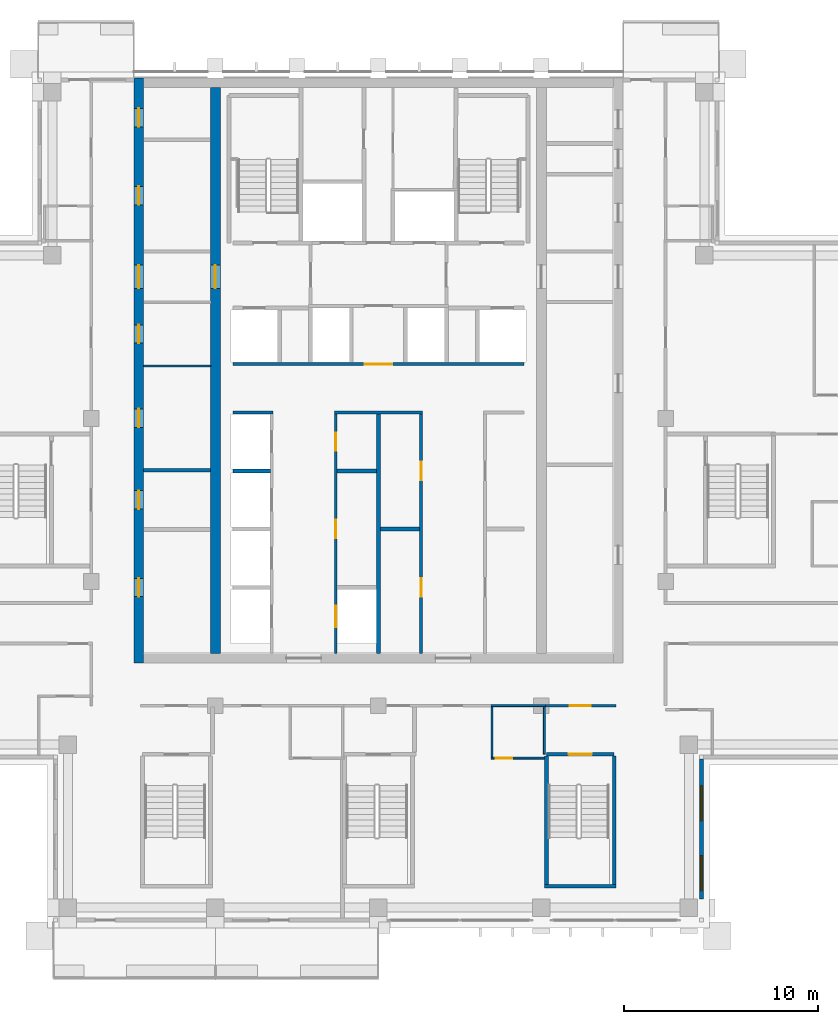
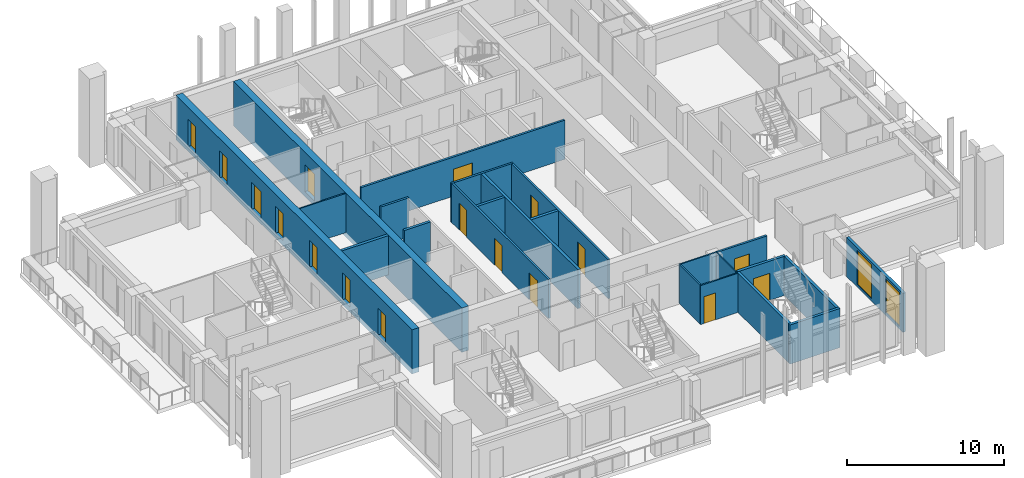
# One storey, part 8 of 16: 23 walls, 17 doors, 2 windows, 19 openings.
"""IFC4 building model written with IfcOpenShell, lengths in metres."""

from ifc_helpers import new_model, si_unit, direction, frame, frame_2d, origin, place, context, subcontext, project, spatial, rectangle, extrude, material, layer, layer_set, type_object, element, fill, save


model = new_model("IFC4")

# Units and contexts
model_context = context("Model", 3, precision=1e-05, world=origin(), true_north=direction((0.0, 1.0)))
body_context = subcontext(model_context, "Body", "Model", "MODEL_VIEW")
ifc_project = project(units=[si_unit("LENGTHUNIT", "METRE"), si_unit("AREAUNIT", "SQUARE_METRE"), si_unit("VOLUMEUNIT", "CUBIC_METRE"), si_unit("PLANEANGLEUNIT", "RADIAN"), si_unit("MASSUNIT", "GRAM", prefix="KILO")], contexts=[model_context])

# Site, building, storey
site_placement = place(None, origin())
site = spatial("IfcSite", under=ifc_project, at=site_placement, CompositionType="ELEMENT")
building_placement = place(site_placement, origin())
building = spatial("IfcBuilding", under=site, at=building_placement, Name="Vermilion Ogive Tower", CompositionType="ELEMENT")
storey_placement = place(building_placement, frame((0.0, 0.0, 247.60009765625)))
storey = spatial("IfcBuildingStorey", under=building, at=storey_placement, Name="L65", CompositionType="ELEMENT", Elevation=247.60009765625)

# Wall, openings, doors
ifc_material_1 = material(Name="Concrete B60", Category="concrete")
ifc_layer_1 = layer(ifc_material_1, 0.5)
ifc_layer_set_1 = layer_set([ifc_layer_1], Name="Core wall 500 B60")
wall_type_1 = type_object("IfcWallType", Name="Core wall 500 B60", PredefinedType="SHEAR", material=ifc_layer_set_1)
wall_1_placement = place(storey_placement, frame((-12.35009765625, -8.39990234375, -0.400146484375), z_axis=(0.0, 0.0, 1.0), x_axis=(0.0, 1.0, 0.0)))
wall_1 = element("IfcWall", 1, at=wall_1_placement, inside=storey, type_object=wall_type_1, Name="L65-CORE-W", PredefinedType="SHEAR", context=body_context, shape_type="SweptSolid", body=[
    extrude(rectangle(XDim=30.14990234375, YDim=0.5, at=frame_2d((15.074951171875, 0.0))), origin(), (0.0, 0.0, 1.0), 3.449951171875),
])
opening_1_placement = place(wall_1_placement, frame((3.415771484375, 0.0, 0.39990234375)))
opening_1 = element("IfcOpeningElement", 2, at=opening_1_placement, cuts=wall_1, Name="Opening DAD116", PredefinedType="OPENING", context=body_context, shape_type="SweptSolid", body=[
    extrude(rectangle(XDim=0.949951171875, YDim=2.10009765625, at=frame_2d((0.47509765625, 1.050048828125))), frame((0.0, 0.260009765625, 0.0), z_axis=(0.0, -1.0, 0.0), x_axis=(1.0, 0.0, 0.0)), (0.0, 0.0, 1.0), 0.52001953125),
])
opening_2_placement = place(wall_1_placement, frame((7.93212890625, 0.0, 0.39990234375)))
opening_2 = element("IfcOpeningElement", 3, at=opening_2_placement, cuts=wall_1, Name="Opening DAD117", PredefinedType="OPENING", context=body_context, shape_type="SweptSolid", body=[
    extrude(rectangle(XDim=0.949951171875, YDim=2.10009765625, at=frame_2d((0.47509765625, 1.050048828125))), frame((0.0, 0.260009765625, 0.0), z_axis=(0.0, -1.0, 0.0), x_axis=(1.0, 0.0, 0.0)), (0.0, 0.0, 1.0), 0.52001953125),
])
opening_3_placement = place(wall_1_placement, frame((12.1435546875, 0.0, 0.39990234375)))
opening_3 = element("IfcOpeningElement", 4, at=opening_3_placement, cuts=wall_1, Name="Opening DAD118", PredefinedType="OPENING", context=body_context, shape_type="SweptSolid", body=[
    extrude(rectangle(XDim=0.949951171875, YDim=2.10009765625, at=frame_2d((0.47509765625, 1.050048828125))), frame((0.0, 0.260009765625, 0.0), z_axis=(0.0, -1.0, 0.0), x_axis=(1.0, 0.0, 0.0)), (0.0, 0.0, 1.0), 0.52001953125),
])
opening_4_placement = place(wall_1_placement, frame((16.47705078125, 0.0, 0.39990234375)))
opening_4 = element("IfcOpeningElement", 5, at=opening_4_placement, cuts=wall_1, Name="Opening DAD119", PredefinedType="OPENING", context=body_context, shape_type="SweptSolid", body=[
    extrude(rectangle(XDim=0.949951171875, YDim=2.10009765625, at=frame_2d((0.47509765625, 1.050048828125))), frame((0.0, 0.260009765625, 0.0), z_axis=(0.0, -1.0, 0.0), x_axis=(1.0, 0.0, 0.0)), (0.0, 0.0, 1.0), 0.52001953125),
])
opening_5_placement = place(wall_1_placement, frame((23.60498046875, 0.0, 0.39990234375)))
opening_5 = element("IfcOpeningElement", 6, at=opening_5_placement, cuts=wall_1, Name="Opening DAD120", PredefinedType="OPENING", context=body_context, shape_type="SweptSolid", body=[
    extrude(rectangle(XDim=0.949951171875, YDim=2.10009765625, at=frame_2d((0.47509765625, 1.050048828125))), frame((0.0, 0.260009765625, 0.0), z_axis=(0.0, -1.0, 0.0), x_axis=(1.0, 0.0, 0.0)), (0.0, 0.0, 1.0), 0.52001953125),
])
opening_6_placement = place(wall_1_placement, frame((27.630126953125, 0.0, 0.39990234375)))
opening_6 = element("IfcOpeningElement", 7, at=opening_6_placement, cuts=wall_1, Name="Opening DAD121", PredefinedType="OPENING", context=body_context, shape_type="SweptSolid", body=[
    extrude(rectangle(XDim=0.949951171875, YDim=2.10009765625, at=frame_2d((0.47509765625, 1.050048828125))), frame((0.0, 0.260009765625, 0.0), z_axis=(0.0, -1.0, 0.0), x_axis=(1.0, 0.0, 0.0)), (0.0, 0.0, 1.0), 0.52001953125),
])
opening_7_placement = place(wall_1_placement, frame((19.300048828125, 0.0, 0.39990234375)))
opening_7 = element("IfcOpeningElement", 8, at=opening_7_placement, cuts=wall_1, Name="Opening DAM027", PredefinedType="OPENING", context=body_context, shape_type="SweptSolid", body=[
    extrude(rectangle(XDim=1.199951171875, YDim=2.10009765625, at=frame_2d((0.60009765625, 1.050048828125))), frame((0.0, 0.260009765625, 0.0), z_axis=(0.0, -1.0, 0.0), x_axis=(1.0, 0.0, 0.0)), (0.0, 0.0, 1.0), 0.52001953125),
])
ifc_material_2 = material(Name="Timber door leaf", Category="wood")
door_type_1 = type_object("IfcDoorType", Name="Link door 1200 x 2100 FD60S", OperationType="SINGLE_SWING_LEFT", PredefinedType="DOOR", material=ifc_material_2)
door_1_placement = place(opening_7_placement, origin())
door_1 = element("IfcDoor", 9, at=door_1_placement, inside=storey, type_object=door_type_1, Name="L65-CKW-XL", OperationType="SINGLE_SWING_LEFT", OverallHeight=2.10009765625, OverallWidth=1.199951171875, PredefinedType="DOOR", context=body_context, shape_type="SweptSolid", body=[
    extrude(rectangle(XDim=1.199951171875, YDim=2.10009765625, at=frame_2d((0.60009765625, 1.050048828125))), frame((0.0, 0.02490234375, 0.0), z_axis=(0.0, -1.0, 0.0), x_axis=(1.0, 0.0, 0.0)), (0.0, 0.0, 1.0), 0.050048828125),
])
fill(opening_7, door_1)
ifc_material_3 = material(Name="Timber door leaf", Category="wood")
door_type_2 = type_object("IfcDoorType", Name="Service door 950 x 2100 FD60", OperationType="SINGLE_SWING_LEFT", PredefinedType="DOOR", material=ifc_material_3)
door_2_placement = place(opening_1_placement, origin())
door_2 = element("IfcDoor", 10, at=door_2_placement, inside=storey, type_object=door_type_2, Name="L65-CKW-XR0", OperationType="SINGLE_SWING_LEFT", OverallHeight=2.10009765625, OverallWidth=0.949951171875, PredefinedType="DOOR", context=body_context, shape_type="SweptSolid", body=[
    extrude(rectangle(XDim=0.949951171875, YDim=2.10009765625, at=frame_2d((0.47509765625, 1.050048828125))), frame((0.0, 0.02490234375, 0.0), z_axis=(0.0, -1.0, 0.0), x_axis=(1.0, 0.0, 0.0)), (0.0, 0.0, 1.0), 0.050048828125),
])
fill(opening_1, door_2)
door_3_placement = place(opening_2_placement, origin())
door_3 = element("IfcDoor", 11, at=door_3_placement, inside=storey, type_object=door_type_2, Name="L65-CKW-XR1", OperationType="SINGLE_SWING_LEFT", OverallHeight=2.10009765625, OverallWidth=0.949951171875, PredefinedType="DOOR", context=body_context, shape_type="SweptSolid", body=[
    extrude(rectangle(XDim=0.949951171875, YDim=2.10009765625, at=frame_2d((0.47509765625, 1.050048828125))), frame((0.0, 0.02490234375, 0.0), z_axis=(0.0, -1.0, 0.0), x_axis=(1.0, 0.0, 0.0)), (0.0, 0.0, 1.0), 0.050048828125),
])
fill(opening_2, door_3)
door_4_placement = place(opening_3_placement, origin())
door_4 = element("IfcDoor", 12, at=door_4_placement, inside=storey, type_object=door_type_2, Name="L65-CKW-XR2", OperationType="SINGLE_SWING_LEFT", OverallHeight=2.10009765625, OverallWidth=0.949951171875, PredefinedType="DOOR", context=body_context, shape_type="SweptSolid", body=[
    extrude(rectangle(XDim=0.949951171875, YDim=2.10009765625, at=frame_2d((0.47509765625, 1.050048828125))), frame((0.0, 0.02490234375, 0.0), z_axis=(0.0, -1.0, 0.0), x_axis=(1.0, 0.0, 0.0)), (0.0, 0.0, 1.0), 0.050048828125),
])
fill(opening_3, door_4)
door_5_placement = place(opening_4_placement, origin())
door_5 = element("IfcDoor", 13, at=door_5_placement, inside=storey, type_object=door_type_2, Name="L65-CKW-XR3", OperationType="SINGLE_SWING_LEFT", OverallHeight=2.10009765625, OverallWidth=0.949951171875, PredefinedType="DOOR", context=body_context, shape_type="SweptSolid", body=[
    extrude(rectangle(XDim=0.949951171875, YDim=2.10009765625, at=frame_2d((0.47509765625, 1.050048828125))), frame((0.0, 0.02490234375, 0.0), z_axis=(0.0, -1.0, 0.0), x_axis=(1.0, 0.0, 0.0)), (0.0, 0.0, 1.0), 0.050048828125),
])
fill(opening_4, door_5)
door_6_placement = place(opening_5_placement, origin())
door_6 = element("IfcDoor", 14, at=door_6_placement, inside=storey, type_object=door_type_2, Name="L65-CKW-XR4", OperationType="SINGLE_SWING_LEFT", OverallHeight=2.10009765625, OverallWidth=0.949951171875, PredefinedType="DOOR", context=body_context, shape_type="SweptSolid", body=[
    extrude(rectangle(XDim=0.949951171875, YDim=2.10009765625, at=frame_2d((0.47509765625, 1.050048828125))), frame((0.0, 0.02490234375, 0.0), z_axis=(0.0, -1.0, 0.0), x_axis=(1.0, 0.0, 0.0)), (0.0, 0.0, 1.0), 0.050048828125),
])
fill(opening_5, door_6)
door_7_placement = place(opening_6_placement, origin())
door_7 = element("IfcDoor", 15, at=door_7_placement, inside=storey, type_object=door_type_2, Name="L65-CKW-XR5", OperationType="SINGLE_SWING_LEFT", OverallHeight=2.10009765625, OverallWidth=0.949951171875, PredefinedType="DOOR", context=body_context, shape_type="SweptSolid", body=[
    extrude(rectangle(XDim=0.949951171875, YDim=2.10009765625, at=frame_2d((0.47509765625, 1.050048828125))), frame((0.0, 0.02490234375, 0.0), z_axis=(0.0, -1.0, 0.0), x_axis=(1.0, 0.0, 0.0)), (0.0, 0.0, 1.0), 0.050048828125),
])
fill(opening_6, door_7)

# Wall, opening, door
wall_2_placement = place(storey_placement, frame((-8.39990234375, -7.89990234375, -0.400146484375), z_axis=(0.0, 0.0, 1.0), x_axis=(0.0, 1.0, 0.0)))
wall_2 = element("IfcWall", 16, at=wall_2_placement, inside=storey, type_object=wall_type_1, Name="L65-CORE-WEB1", PredefinedType="SHEAR", context=body_context, shape_type="SweptSolid", body=[
    extrude(rectangle(XDim=29.14990234375, YDim=0.5, at=frame_2d((14.574951171875, 0.0))), origin(), (0.0, 0.0, 1.0), 3.449951171875),
])
opening_8_placement = place(wall_2_placement, frame((18.800048828125, 0.0, 0.39990234375)))
opening_8 = element("IfcOpeningElement", 17, at=opening_8_placement, cuts=wall_2, Name="Opening DAP022", PredefinedType="OPENING", context=body_context, shape_type="SweptSolid", body=[
    extrude(rectangle(XDim=1.199951171875, YDim=2.10009765625, at=frame_2d((0.60009765625, 1.050048828125))), frame((0.0, 0.260009765625, 0.0), z_axis=(0.0, -1.0, 0.0), x_axis=(1.0, 0.0, 0.0)), (0.0, 0.0, 1.0), 0.52001953125),
])
door_8_placement = place(opening_8_placement, origin())
door_8 = element("IfcDoor", 18, at=door_8_placement, inside=storey, type_object=door_type_1, Name="L65-CKW-XW", OperationType="SINGLE_SWING_LEFT", OverallHeight=2.10009765625, OverallWidth=1.199951171875, PredefinedType="DOOR", context=body_context, shape_type="SweptSolid", body=[
    extrude(rectangle(XDim=1.199951171875, YDim=2.10009765625, at=frame_2d((0.60009765625, 1.050048828125))), frame((0.0, 0.02490234375, 0.0), z_axis=(0.0, -1.0, 0.0), x_axis=(1.0, 0.0, 0.0)), (0.0, 0.0, 1.0), 0.050048828125),
])
fill(opening_8, door_8)

ifc_material_4 = material(Name="Gypsum board partition on steel studs", Category="steel")
ifc_layer_2 = layer(ifc_material_4, 0.10009765625)
ifc_layer_set_2 = layer_set([ifc_layer_2], Name="Partition 100 bath")
wall_type_2 = type_object("IfcWallType", Name="Partition 100 bath", PredefinedType="PARTITIONING", material=ifc_layer_set_2)
wall_3_placement = place(storey_placement, frame((5.802001953125, -13.300048828125, 0.0), z_axis=(0.0, 0.0, 1.0), x_axis=(1.0, 0.0, 0.0)))
wall_3 = element("IfcWall", 19, at=wall_3_placement, inside=storey, type_object=wall_type_2, Name="L65-W-W003", PredefinedType="PARTITIONING", context=body_context, shape_type="SweptSolid", body=[
    extrude(rectangle(XDim=2.748046875, YDim=0.10009765625, at=frame_2d((1.3740234375, 0.0))), origin(), (0.0, 0.0, 1.0), 3.0498046875),
])
opening_9_placement = place(wall_3_placement, frame((0.248046875, 0.0, 0.0)))
opening_9 = element("IfcOpeningElement", 20, at=opening_9_placement, cuts=wall_3, Name="Opening D5G4011", PredefinedType="OPENING", context=body_context, shape_type="SweptSolid", body=[
    extrude(rectangle(XDim=0.85009765625, YDim=2.10009765625, at=frame_2d((0.425048828125, 1.050048828125))), frame((0.0, 0.06005859375, 0.0), z_axis=(0.0, -1.0, 0.0), x_axis=(1.0, 0.0, 0.0)), (0.0, 0.0, 1.0), 0.1201171875),
])
ifc_material_5 = material(Name="Timber door leaf", Category="wood")
door_type_3 = type_object("IfcDoorType", Name="Bath door 850 x 2100 FD30", OperationType="SINGLE_SWING_LEFT", PredefinedType="DOOR", material=ifc_material_5)
door_9_placement = place(opening_9_placement, origin())
door_9 = element("IfcDoor", 21, at=door_9_placement, inside=storey, type_object=door_type_3, Name="L65-D-D011", OperationType="SINGLE_SWING_LEFT", OverallHeight=2.10009765625, OverallWidth=0.85009765625, PredefinedType="DOOR", context=body_context, shape_type="SweptSolid", body=[
    extrude(rectangle(XDim=0.85009765625, YDim=2.10009765625, at=frame_2d((0.425048828125, 1.050048828125))), frame((0.0, 0.02490234375, 0.0), z_axis=(0.0, -1.0, 0.0), x_axis=(1.0, 0.0, 0.0)), (0.0, 0.0, 1.0), 0.050048828125),
])
fill(opening_9, door_9)

# Walls
wall_4_placement = place(storey_placement, frame((5.800048828125, -10.60009765625, 0.0), z_axis=(0.0, 0.0, 1.0), x_axis=(1.0, 0.0, 0.0)))
element("IfcWall", 22, at=wall_4_placement, inside=storey, type_object=wall_type_2, Name="L65-W-W011", PredefinedType="PARTITIONING", context=body_context, shape_type="SweptSolid", body=[
    extrude(rectangle(XDim=2.800048828125, YDim=0.10009765625, at=frame_2d((1.39990234375, 0.0))), origin(), (0.0, 0.0, 1.0), 3.0498046875),
])
wall_5_placement = place(storey_placement, frame((5.85009765625, -13.248046875, 0.0), z_axis=(0.0, 0.0, 1.0), x_axis=(0.0, 1.0, 0.0)))
element("IfcWall", 23, at=wall_5_placement, inside=storey, type_object=wall_type_2, Name="L65-W-W053", PredefinedType="PARTITIONING", context=body_context, shape_type="SweptSolid", body=[
    extrude(rectangle(XDim=2.572998046875, YDim=0.10009765625, at=frame_2d((1.28662109375, 0.0))), origin(), (0.0, 0.0, 1.0), 3.0498046875),
])
wall_6_placement = place(storey_placement, frame((8.550048828125, -13.10009765625, 0.0), z_axis=(0.0, 0.0, 1.0), x_axis=(0.0, 1.0, 0.0)))
element("IfcWall", 24, at=wall_6_placement, inside=storey, type_object=wall_type_2, Name="L65-W-W054", PredefinedType="PARTITIONING", context=body_context, shape_type="SweptSolid", body=[
    extrude(rectangle(XDim=2.425048828125, YDim=0.10009765625, at=frame_2d((1.21240234375, 0.0))), origin(), (0.0, 0.0, 1.0), 3.0498046875),
])
wall_7_placement = place(storey_placement, frame((-12.09912109375, 6.904052734375, 0.0), z_axis=(0.0, 0.0, 1.0), x_axis=(1.0, 0.0, 0.0)))
element("IfcWall", 25, at=wall_7_placement, inside=storey, type_object=wall_type_2, Name="L65-CKW-W-W003", PredefinedType="PARTITIONING", context=body_context, shape_type="SweptSolid", body=[
    extrude(rectangle(XDim=3.4482421875, YDim=0.10009765625, at=frame_2d((1.72412109375, 0.0))), origin(), (0.0, 0.0, 1.0), 3.0498046875),
])

# Wall, opening, door
ifc_material_6 = material(Name="Gypsum board partition on steel studs", Category="steel")
ifc_layer_3 = layer(ifc_material_6, 0.14990234375)
ifc_layer_set_3 = layer_set([ifc_layer_3], Name="Partition 150 corridor")
wall_type_3 = type_object("IfcWallType", Name="Partition 150 corridor", PredefinedType="PARTITIONING", material=ifc_layer_set_3)
wall_8_placement = place(storey_placement, frame((8.5, -10.60009765625, 0.0), z_axis=(0.0, 0.0, 1.0), x_axis=(1.0, 0.0, 0.0)))
wall_8 = element("IfcWall", 26, at=wall_8_placement, inside=storey, type_object=wall_type_3, Name="L65-W-W012", PredefinedType="PARTITIONING", context=body_context, shape_type="SweptSolid", body=[
    extrude(rectangle(XDim=3.75, YDim=0.14990234375, at=frame_2d((1.875, 0.0))), origin(), (0.0, 0.0, 1.0), 3.0498046875),
])
opening_10_placement = place(wall_8_placement, frame((1.35009765625, 0.0, 0.0)))
opening_10 = element("IfcOpeningElement", 27, at=opening_10_placement, cuts=wall_8, Name="Opening D5G4024", PredefinedType="OPENING", context=body_context, shape_type="SweptSolid", body=[
    extrude(rectangle(XDim=1.10009765625, YDim=2.10009765625, at=frame_2d((0.550048828125, 1.050048828125))), frame((0.0, 0.0849609375, 0.0), z_axis=(0.0, -1.0, 0.0), x_axis=(1.0, 0.0, 0.0)), (0.0, 0.0, 1.0), 0.169921875),
])
ifc_material_7 = material(Name="Timber door leaf", Category="wood")
door_type_4 = type_object("IfcDoorType", Name="Stair door 1100 x 2100 FD60S", OperationType="SINGLE_SWING_LEFT", PredefinedType="DOOR", material=ifc_material_7)
door_10_placement = place(opening_10_placement, origin())
door_10 = element("IfcDoor", 28, at=door_10_placement, inside=storey, type_object=door_type_4, Name="L65-D-D024", OperationType="SINGLE_SWING_RIGHT", OverallHeight=2.10009765625, OverallWidth=1.10009765625, PredefinedType="DOOR", context=body_context, shape_type="SweptSolid", body=[
    extrude(rectangle(XDim=1.10009765625, YDim=2.10009765625, at=frame_2d((0.550048828125, 1.050048828125))), frame((0.0, 0.02490234375, 0.0), z_axis=(0.0, -1.0, 0.0), x_axis=(1.0, 0.0, 0.0)), (0.0, 0.0, 1.0), 0.050048828125),
])
fill(opening_10, door_10)

# Walls
wall_9_placement = place(storey_placement, frame((-7.5, 4.5, 0.0), z_axis=(0.0, 0.0, 1.0), x_axis=(1.0, 0.0, 0.0)))
element("IfcWall", 29, at=wall_9_placement, inside=storey, type_object=wall_type_3, Name="L65-CK-W-W008", PredefinedType="PARTITIONING", context=body_context, shape_type="SweptSolid", body=[
    extrude(rectangle(XDim=2.074951171875, YDim=0.14990234375, at=frame_2d((1.03759765625, 0.0))), origin(), (0.0, 0.0, 1.0), 3.0498046875),
])
wall_10_placement = place(storey_placement, frame((-2.27490234375, 4.5, 0.0), z_axis=(0.0, 0.0, 1.0), x_axis=(1.0, 0.0, 0.0)))
element("IfcWall", 30, at=wall_10_placement, inside=storey, type_object=wall_type_3, Name="L65-CK-W-W009", PredefinedType="PARTITIONING", context=body_context, shape_type="SweptSolid", body=[
    extrude(rectangle(XDim=4.5498046875, YDim=0.14990234375, at=frame_2d((2.27490234375, 0.0))), origin(), (0.0, 0.0, 1.0), 3.0498046875),
])

# Wall, opening, door
wall_11_placement = place(storey_placement, frame((-7.5, 7.0, 0.0), z_axis=(0.0, 0.0, 1.0), x_axis=(1.0, 0.0, 0.0)))
wall_11 = element("IfcWall", 31, at=wall_11_placement, inside=storey, type_object=wall_type_3, Name="L65-CK-W-W011", PredefinedType="PARTITIONING", context=body_context, shape_type="SweptSolid", body=[
    extrude(rectangle(XDim=15.0, YDim=0.14990234375, at=frame_2d((7.5, 0.0))), origin(), (0.0, 0.0, 1.0), 3.0498046875),
])
opening_11_placement = place(wall_11_placement, frame((6.800048828125, 0.0, 0.0)))
opening_11 = element("IfcOpeningElement", 32, at=opening_11_placement, cuts=wall_11, Name="Opening DAA611", PredefinedType="OPENING", context=body_context, shape_type="SweptSolid", body=[
    extrude(rectangle(XDim=1.39990234375, YDim=2.10009765625, at=frame_2d((0.699951171875, 1.050048828125))), frame((0.0, 0.0849609375, 0.0), z_axis=(0.0, -1.0, 0.0), x_axis=(1.0, 0.0, 0.0)), (0.0, 0.0, 1.0), 0.169921875),
])
ifc_material_8 = material(Name="Timber door leaf", Category="wood")
door_type_5 = type_object("IfcDoorType", Name="Lobby door 1400 x 2100 FD60S", OperationType="SINGLE_SWING_LEFT", PredefinedType="DOOR", material=ifc_material_8)
door_11_placement = place(opening_11_placement, origin())
door_11 = element("IfcDoor", 33, at=door_11_placement, inside=storey, type_object=door_type_5, Name="L65-CK-D-D016", OperationType="SINGLE_SWING_RIGHT", OverallHeight=2.10009765625, OverallWidth=1.39990234375, PredefinedType="DOOR", context=body_context, shape_type="SweptSolid", body=[
    extrude(rectangle(XDim=1.39990234375, YDim=2.10009765625, at=frame_2d((0.699951171875, 1.050048828125))), frame((0.0, 0.02490234375, 0.0), z_axis=(0.0, -1.0, 0.0), x_axis=(1.0, 0.0, 0.0)), (0.0, 0.0, 1.0), 0.050048828125),
])
fill(opening_11, door_11)

# Wall, openings, doors
wall_12_placement = place(storey_placement, frame((-2.199951171875, -7.89892578125, 0.0), z_axis=(0.0, 0.0, 1.0), x_axis=(0.0, 1.0, 0.0)))
wall_12 = element("IfcWall", 34, at=wall_12_placement, inside=storey, type_object=wall_type_3, Name="L65-CK-W-W025", PredefinedType="PARTITIONING", context=body_context, shape_type="SweptSolid", body=[
    extrude(rectangle(XDim=12.323974609375, YDim=0.14990234375, at=frame_2d((6.162109375, 0.0))), origin(), (0.0, 0.0, 1.0), 3.0498046875),
])
opening_12_placement = place(wall_12_placement, frame((1.348876953125, 0.0, 0.0)))
opening_12 = element("IfcOpeningElement", 35, at=opening_12_placement, cuts=wall_12, Name="Opening DAA628", PredefinedType="OPENING", context=body_context, shape_type="SweptSolid", body=[
    extrude(rectangle(XDim=1.10009765625, YDim=2.10009765625, at=frame_2d((0.550048828125, 1.050048828125))), frame((0.0, 0.0849609375, 0.0), z_axis=(0.0, -1.0, 0.0), x_axis=(1.0, 0.0, 0.0)), (0.0, 0.0, 1.0), 0.169921875),
])
opening_13_placement = place(wall_12_placement, frame((5.923828125, 0.0, 0.0)))
opening_13 = element("IfcOpeningElement", 36, at=opening_13_placement, cuts=wall_12, Name="Opening DAA614", PredefinedType="OPENING", context=body_context, shape_type="SweptSolid", body=[
    extrude(rectangle(XDim=0.949951171875, YDim=2.10009765625, at=frame_2d((0.47509765625, 1.050048828125))), frame((0.0, 0.0849609375, 0.0), z_axis=(0.0, -1.0, 0.0), x_axis=(1.0, 0.0, 0.0)), (0.0, 0.0, 1.0), 0.169921875),
])
opening_14_placement = place(wall_12_placement, frame((10.423828125, 0.0, 0.0)))
opening_14 = element("IfcOpeningElement", 37, at=opening_14_placement, cuts=wall_12, Name="Opening DAA615", PredefinedType="OPENING", context=body_context, shape_type="SweptSolid", body=[
    extrude(rectangle(XDim=0.949951171875, YDim=2.10009765625, at=frame_2d((0.47509765625, 1.050048828125))), frame((0.0, 0.0849609375, 0.0), z_axis=(0.0, -1.0, 0.0), x_axis=(1.0, 0.0, 0.0)), (0.0, 0.0, 1.0), 0.169921875),
])
ifc_material_9 = material(Name="Stainless steel", Category="steel")
door_type_6 = type_object("IfcDoorType", Name="Lift landing door 1100 x 2100", OperationType="SLIDING_TO_LEFT", PredefinedType="DOOR", material=ifc_material_9)
door_12_placement = place(opening_12_placement, origin())
door_12 = element("IfcDoor", 38, at=door_12_placement, inside=storey, type_object=door_type_6, Name="L65-CK-D-D005", OperationType="SLIDING_TO_LEFT", OverallHeight=2.10009765625, OverallWidth=1.10009765625, PredefinedType="DOOR", context=body_context, shape_type="SweptSolid", body=[
    extrude(rectangle(XDim=1.10009765625, YDim=2.10009765625, at=frame_2d((0.550048828125, 1.050048828125))), frame((0.0, 0.02490234375, 0.0), z_axis=(0.0, -1.0, 0.0), x_axis=(1.0, 0.0, 0.0)), (0.0, 0.0, 1.0), 0.050048828125),
])
fill(opening_12, door_12)
door_13_placement = place(opening_13_placement, origin())
door_13 = element("IfcDoor", 39, at=door_13_placement, inside=storey, type_object=door_type_2, Name="L65-CK-D-D006", OperationType="SINGLE_SWING_LEFT", OverallHeight=2.10009765625, OverallWidth=0.949951171875, PredefinedType="DOOR", context=body_context, shape_type="SweptSolid", body=[
    extrude(rectangle(XDim=0.949951171875, YDim=2.10009765625, at=frame_2d((0.47509765625, 1.050048828125))), frame((0.0, 0.02490234375, 0.0), z_axis=(0.0, -1.0, 0.0), x_axis=(1.0, 0.0, 0.0)), (0.0, 0.0, 1.0), 0.050048828125),
])
fill(opening_13, door_13)
door_14_placement = place(opening_14_placement, origin())
door_14 = element("IfcDoor", 40, at=door_14_placement, inside=storey, type_object=door_type_2, Name="L65-CK-D-D007", OperationType="SINGLE_SWING_RIGHT", OverallHeight=2.10009765625, OverallWidth=0.949951171875, PredefinedType="DOOR", context=body_context, shape_type="SweptSolid", body=[
    extrude(rectangle(XDim=0.949951171875, YDim=2.10009765625, at=frame_2d((0.47509765625, 1.050048828125))), frame((0.0, 0.02490234375, 0.0), z_axis=(0.0, -1.0, 0.0), x_axis=(1.0, 0.0, 0.0)), (0.0, 0.0, 1.0), 0.050048828125),
])
fill(opening_14, door_14)

wall_13_placement = place(storey_placement, frame((2.199951171875, -7.89892578125, 0.0), z_axis=(0.0, 0.0, 1.0), x_axis=(0.0, 1.0, 0.0)))
wall_13 = element("IfcWall", 41, at=wall_13_placement, inside=storey, type_object=wall_type_3, Name="L65-CK-W-W032", PredefinedType="PARTITIONING", context=body_context, shape_type="SweptSolid", body=[
    extrude(rectangle(XDim=12.323974609375, YDim=0.14990234375, at=frame_2d((6.162109375, 0.0))), origin(), (0.0, 0.0, 1.0), 3.0498046875),
])
opening_15_placement = place(wall_13_placement, frame((2.923828125, 0.0, 0.0)))
opening_15 = element("IfcOpeningElement", 42, at=opening_15_placement, cuts=wall_13, Name="Opening DAA616", PredefinedType="OPENING", context=body_context, shape_type="SweptSolid", body=[
    extrude(rectangle(XDim=0.949951171875, YDim=2.10009765625, at=frame_2d((0.47509765625, 1.050048828125))), frame((0.0, 0.0849609375, 0.0), z_axis=(0.0, -1.0, 0.0), x_axis=(1.0, 0.0, 0.0)), (0.0, 0.0, 1.0), 0.169921875),
])
opening_16_placement = place(wall_13_placement, frame((8.923828125, 0.0, 0.0)))
opening_16 = element("IfcOpeningElement", 43, at=opening_16_placement, cuts=wall_13, Name="Opening DAA617", PredefinedType="OPENING", context=body_context, shape_type="SweptSolid", body=[
    extrude(rectangle(XDim=0.949951171875, YDim=2.10009765625, at=frame_2d((0.47509765625, 1.050048828125))), frame((0.0, 0.0849609375, 0.0), z_axis=(0.0, -1.0, 0.0), x_axis=(1.0, 0.0, 0.0)), (0.0, 0.0, 1.0), 0.169921875),
])
door_15_placement = place(opening_15_placement, origin())
door_15 = element("IfcDoor", 44, at=door_15_placement, inside=storey, type_object=door_type_2, Name="L65-CK-D-D008", OperationType="SINGLE_SWING_RIGHT", OverallHeight=2.10009765625, OverallWidth=0.949951171875, PredefinedType="DOOR", context=body_context, shape_type="SweptSolid", body=[
    extrude(rectangle(XDim=0.949951171875, YDim=2.10009765625, at=frame_2d((0.47509765625, 1.050048828125))), frame((0.0, 0.02490234375, 0.0), z_axis=(0.0, -1.0, 0.0), x_axis=(1.0, 0.0, 0.0)), (0.0, 0.0, 1.0), 0.050048828125),
])
fill(opening_15, door_15)
door_16_placement = place(opening_16_placement, origin())
door_16 = element("IfcDoor", 45, at=door_16_placement, inside=storey, type_object=door_type_2, Name="L65-CK-D-D009", OperationType="SINGLE_SWING_RIGHT", OverallHeight=2.10009765625, OverallWidth=0.949951171875, PredefinedType="DOOR", context=body_context, shape_type="SweptSolid", body=[
    extrude(rectangle(XDim=0.949951171875, YDim=2.10009765625, at=frame_2d((0.47509765625, 1.050048828125))), frame((0.0, 0.02490234375, 0.0), z_axis=(0.0, -1.0, 0.0), x_axis=(1.0, 0.0, 0.0)), (0.0, 0.0, 1.0), 0.050048828125),
])
fill(opening_16, door_16)

# Walls
ifc_material_10 = material(Name="Gypsum board partition on steel studs", Category="steel")
ifc_layer_4 = layer(ifc_material_10, 0.199951171875)
ifc_layer_set_4 = layer_set([ifc_layer_4], Name="Partition 200 party")
wall_type_4 = type_object("IfcWallType", Name="Partition 200 party", PredefinedType="PARTITIONING", material=ifc_layer_set_4)
wall_14_placement = place(storey_placement, frame((0.10009765625, -1.5, 0.0), z_axis=(0.0, 0.0, 1.0), x_axis=(1.0, 0.0, 0.0)))
element("IfcWall", 46, at=wall_14_placement, inside=storey, type_object=wall_type_4, Name="L65-CK-W-W004", PredefinedType="PARTITIONING", context=body_context, shape_type="SweptSolid", body=[
    extrude(rectangle(XDim=2.02490234375, YDim=0.199951171875, at=frame_2d((1.012451171875, 0.0))), origin(), (0.0, 0.0, 1.0), 3.0498046875),
])
wall_15_placement = place(storey_placement, frame((-7.5, 1.5, 0.0), z_axis=(0.0, 0.0, 1.0), x_axis=(1.0, 0.0, 0.0)))
element("IfcWall", 47, at=wall_15_placement, inside=storey, type_object=wall_type_4, Name="L65-CK-W-W006", PredefinedType="PARTITIONING", context=body_context, shape_type="SweptSolid", body=[
    extrude(rectangle(XDim=1.925048828125, YDim=0.199951171875, at=frame_2d((0.96240234375, 0.0))), origin(), (0.0, 0.0, 1.0), 3.0498046875),
])
wall_16_placement = place(storey_placement, frame((-2.125, 1.5, 0.0), z_axis=(0.0, 0.0, 1.0), x_axis=(1.0, 0.0, 0.0)))
element("IfcWall", 48, at=wall_16_placement, inside=storey, type_object=wall_type_4, Name="L65-CK-W-W007", PredefinedType="PARTITIONING", context=body_context, shape_type="SweptSolid", body=[
    extrude(rectangle(XDim=2.02490234375, YDim=0.199951171875, at=frame_2d((1.012451171875, 0.0))), origin(), (0.0, 0.0, 1.0), 3.0498046875),
])
wall_17_placement = place(storey_placement, frame((0.0, -7.89892578125, 0.0), z_axis=(0.0, 0.0, 1.0), x_axis=(0.0, 1.0, 0.0)))
element("IfcWall", 49, at=wall_17_placement, inside=storey, type_object=wall_type_4, Name="L65-CK-W-W028", PredefinedType="PARTITIONING", context=body_context, shape_type="SweptSolid", body=[
    extrude(rectangle(XDim=12.323974609375, YDim=0.199951171875, at=frame_2d((6.162109375, 0.0))), origin(), (0.0, 0.0, 1.0), 3.0498046875),
])
wall_18_placement = place(storey_placement, frame((-12.09912109375, 1.532958984375, 0.0), z_axis=(0.0, 0.0, 1.0), x_axis=(1.0, 0.0, 0.0)))
element("IfcWall", 50, at=wall_18_placement, inside=storey, type_object=wall_type_4, Name="L65-CKW-W-W002", PredefinedType="PARTITIONING", context=body_context, shape_type="SweptSolid", body=[
    extrude(rectangle(XDim=3.4482421875, YDim=0.199951171875, at=frame_2d((1.72412109375, 0.0))), origin(), (0.0, 0.0, 1.0), 3.0498046875),
])

# Wall, opening, door
ifc_material_11 = material(Name="Concrete B60", Category="concrete")
ifc_layer_5 = layer(ifc_material_11, 0.199951171875)
ifc_layer_set_5 = layer_set([ifc_layer_5], Name="Stair shaft wall 200 Concrete B60")
wall_type_5 = type_object("IfcWallType", Name="Stair shaft wall 200 Concrete B60", PredefinedType="SOLIDWALL", material=ifc_layer_set_5)
wall_19_placement = place(storey_placement, frame((8.64990234375, -13.10009765625, 0.0), z_axis=(0.0, 0.0, 1.0), x_axis=(1.0, 0.0, 0.0)))
wall_19 = element("IfcWall", 51, at=wall_19_placement, inside=storey, type_object=wall_type_5, Name="L65-W-W006", PredefinedType="SOLIDWALL", context=body_context, shape_type="SweptSolid", body=[
    extrude(rectangle(XDim=3.5, YDim=0.199951171875, at=frame_2d((1.75, 0.0))), origin(), (0.0, 0.0, 1.0), 3.0498046875),
])
opening_17_placement = place(wall_19_placement, frame((1.150146484375, 0.0, 0.0)))
opening_17 = element("IfcOpeningElement", 52, at=opening_17_placement, cuts=wall_19, Name="Opening D5G4025", PredefinedType="OPENING", context=body_context, shape_type="SweptSolid", body=[
    extrude(rectangle(XDim=1.199951171875, YDim=2.10009765625, at=frame_2d((0.60009765625, 1.050048828125))), frame((0.0, 0.10986328125, 0.0), z_axis=(0.0, -1.0, 0.0), x_axis=(1.0, 0.0, 0.0)), (0.0, 0.0, 1.0), 0.219970703125),
])
ifc_material_12 = material(Name="Timber door leaf", Category="wood")
door_type_7 = type_object("IfcDoorType", Name="Stair door 1200 x 2100 FD60S", OperationType="SINGLE_SWING_LEFT", PredefinedType="DOOR", material=ifc_material_12)
door_17_placement = place(opening_17_placement, origin())
door_17 = element("IfcDoor", 53, at=door_17_placement, inside=storey, type_object=door_type_7, Name="L65-D-D025", OperationType="SINGLE_SWING_RIGHT", OverallHeight=2.10009765625, OverallWidth=1.199951171875, PredefinedType="DOOR", context=body_context, shape_type="SweptSolid", body=[
    extrude(rectangle(XDim=1.199951171875, YDim=2.10009765625, at=frame_2d((0.60009765625, 1.050048828125))), frame((0.0, 0.02490234375, 0.0), z_axis=(0.0, -1.0, 0.0), x_axis=(1.0, 0.0, 0.0)), (0.0, 0.0, 1.0), 0.050048828125),
])
fill(opening_17, door_17)

# Walls
wall_20_placement = place(storey_placement, frame((8.550048828125, -19.89990234375, 0.0), z_axis=(0.0, 0.0, 1.0), x_axis=(1.0, 0.0, 0.0)))
element("IfcWall", 54, at=wall_20_placement, inside=storey, type_object=wall_type_5, Name="L65-SW-ST5-S1", PredefinedType="SOLIDWALL", context=body_context, shape_type="SweptSolid", body=[
    extrude(rectangle(XDim=3.699951171875, YDim=0.199951171875, at=frame_2d((1.85009765625, 0.0))), origin(), (0.0, 0.0, 1.0), 3.0498046875),
])
for number, where, z_axis, x_axis, name in (
    (55, (8.64990234375, -19.800048828125, 0.0), (0.0, 0.0, 1.0), (0.0, 1.0, 0.0), "L65-SW-ST5-W1"),
    (56, (12.14990234375, -19.800048828125, 0.0), (0.0, 0.0, 1.0), (0.0, 1.0, 0.0), "L65-SW-ST5-E1"),
):
    element("IfcWall", number, at=place(storey_placement, frame(where, z_axis=z_axis, x_axis=x_axis)), inside=storey, type_object=wall_type_5, Name=name, PredefinedType="SOLIDWALL", context=body_context, shape_type="SweptSolid", body=[
        extrude(rectangle(XDim=6.60009765625, YDim=0.199951171875, at=frame_2d((3.300048828125, 0.0))), origin(), (0.0, 0.0, 1.0), 3.0498046875),
    ])

# Wall, openings, windows
ifc_material_13 = material(Name="Aluminium window wall framing", Category="aluminium")
ifc_layer_6 = layer(ifc_material_13, 0.199951171875)
ifc_layer_set_6 = layer_set([ifc_layer_6], Name="Window wall")
wall_type_6 = type_object("IfcWallType", Name="Window wall", PredefinedType="STANDARD", material=ifc_layer_set_6)
wall_21_placement = place(storey_placement, frame((16.64990234375, -20.550048828125, 0.0), z_axis=(0.0, 0.0, 1.0), x_axis=(0.0, 1.0, 0.0)))
wall_21 = element("IfcWall", 57, at=wall_21_placement, inside=storey, type_object=wall_type_6, Name="Window wall X11", PredefinedType="STANDARD", context=body_context, shape_type="SweptSolid", body=[
    extrude(rectangle(XDim=7.199951171875, YDim=0.199951171875, at=frame_2d((3.60009765625, 0.0))), origin(), (0.0, 0.0, 1.0), 3.0498046875),
])
opening_18_placement = place(wall_21_placement, frame((0.425048828125, 0.0, 0.199951171875)))
opening_18 = element("IfcOpeningElement", 58, at=opening_18_placement, cuts=wall_21, Name="Opening W1-X195", PredefinedType="OPENING", context=body_context, shape_type="SweptSolid", body=[
    extrude(rectangle(XDim=1.800048828125, YDim=2.64990234375, at=frame_2d((0.89990234375, 1.324951171875))), frame((0.0, 0.10986328125, 0.0), z_axis=(0.0, -1.0, 0.0), x_axis=(1.0, 0.0, 0.0)), (0.0, 0.0, 1.0), 0.219970703125),
])
opening_19_placement = place(wall_21_placement, frame((4.02490234375, 0.0, 0.199951171875)))
opening_19 = element("IfcOpeningElement", 59, at=opening_19_placement, cuts=wall_21, Name="Opening W1-X196", PredefinedType="OPENING", context=body_context, shape_type="SweptSolid", body=[
    extrude(rectangle(XDim=1.800048828125, YDim=2.64990234375, at=frame_2d((0.89990234375, 1.324951171875))), frame((0.0, 0.10986328125, 0.0), z_axis=(0.0, -1.0, 0.0), x_axis=(1.0, 0.0, 0.0)), (0.0, 0.0, 1.0), 0.219970703125),
])
ifc_material_14 = material(Name="Aluminium framed double glazing", Category="aluminium")
window_type = type_object("IfcWindowType", Name="Guest window W1", PartitioningType="SINGLE_PANEL", PredefinedType="WINDOW", material=ifc_material_14)
window_1_placement = place(opening_18_placement, origin())
window_1 = element("IfcWindow", 60, at=window_1_placement, inside=storey, type_object=window_type, Name="Window X195", OverallHeight=2.64990234375, OverallWidth=1.800048828125, PartitioningType="SINGLE_PANEL", PredefinedType="WINDOW", context=body_context, shape_type="SweptSolid", body=[
    extrude(rectangle(XDim=1.800048828125, YDim=2.64990234375, at=frame_2d((0.89990234375, 1.324951171875))), frame((0.0, 0.030029296875, 0.0), z_axis=(0.0, -1.0, 0.0), x_axis=(1.0, 0.0, 0.0)), (0.0, 0.0, 1.0), 0.06005859375),
])
fill(opening_18, window_1)
window_2_placement = place(opening_19_placement, origin())
window_2 = element("IfcWindow", 61, at=window_2_placement, inside=storey, type_object=window_type, Name="Window X196", OverallHeight=2.64990234375, OverallWidth=1.800048828125, PartitioningType="SINGLE_PANEL", PredefinedType="WINDOW", context=body_context, shape_type="SweptSolid", body=[
    extrude(rectangle(XDim=1.800048828125, YDim=2.64990234375, at=frame_2d((0.89990234375, 1.324951171875))), frame((0.0, 0.030029296875, 0.0), z_axis=(0.0, -1.0, 0.0), x_axis=(1.0, 0.0, 0.0)), (0.0, 0.0, 1.0), 0.06005859375),
])
fill(opening_19, window_2)

save(model, "model.ifc")
